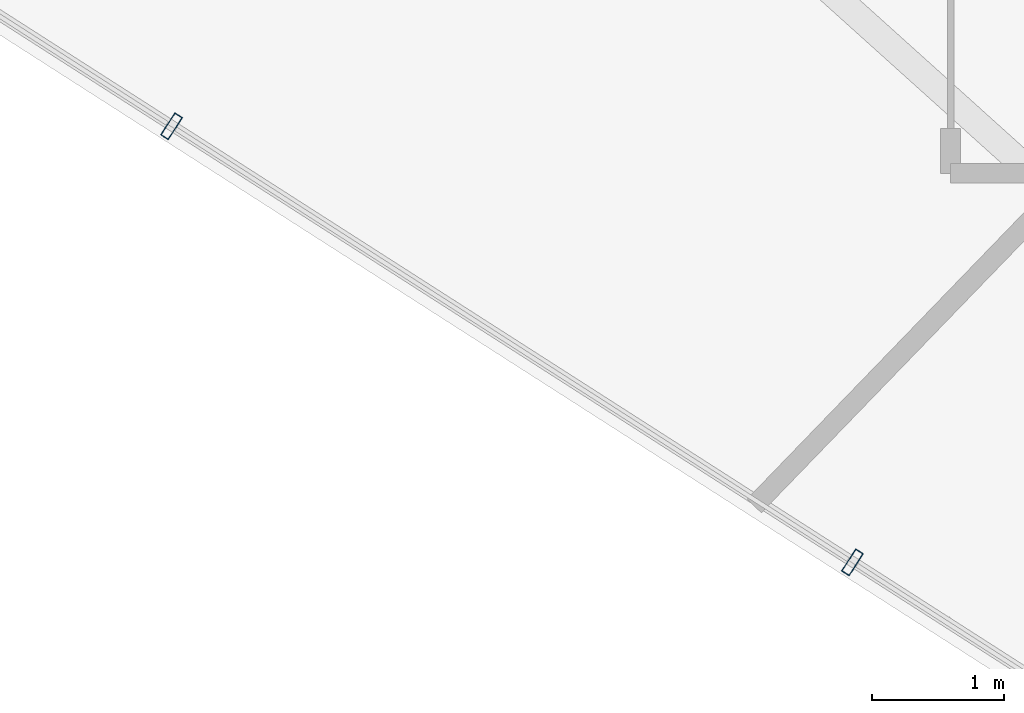
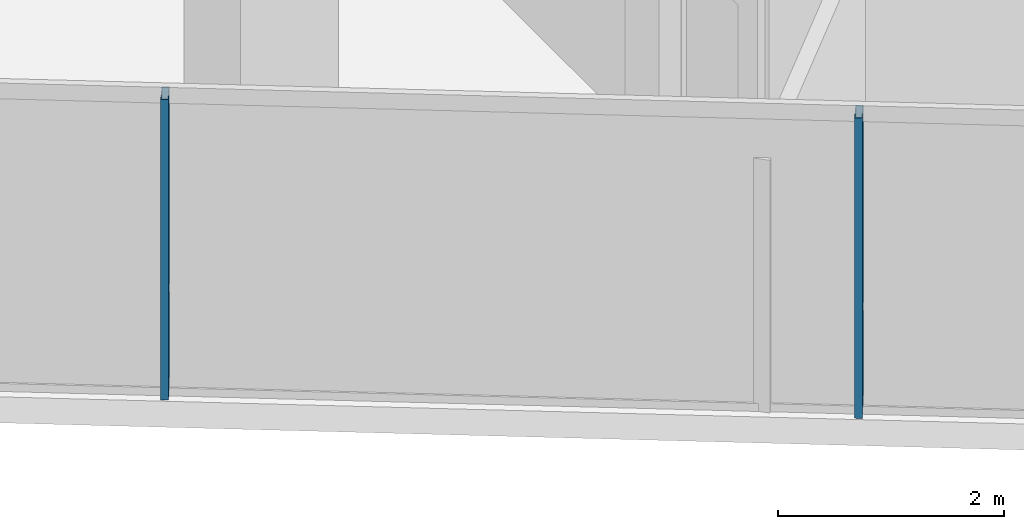
# One storey, part 2 of 20: 2 members, 1 element without a shape of its own.
"""IFC4 building model written with IfcOpenShell, lengths in metres."""

import ifcopenshell
import ifcopenshell.guid

model = None  # the IFC model being written
_history = None  # IfcOwnerHistory: only IFC2X3 demands one
_inside = {}  # id of a spatial element -> (the spatial element, [elements in it])
_under = {}  # id of a project, library or spatial element -> (it, [spatial elements below it])
_declared = {}  # id of a project -> (the project, [libraries it declares])
_typed = {}  # id of a type object -> (the type object, [elements of that type])
_made_of = {}  # id of a material, layer set ... -> (it, [elements and type objects made of it])


def new_model(schema):
    """Start an empty IFC model of exactly this schema.

    Asked for "IFC4X3", IfcOpenShell would pick the latest addendum, in which some entities
    have other attributes; the version numbers below select the first issue.
    IFC2X3 requires an IfcOwnerHistory on every rooted entity: one is made here for all.
    """
    global model, _history
    if schema == "IFC4X3":
        model = ifcopenshell.file(schema_version=(4, 3, 0, 0))
    else:
        model = ifcopenshell.file(schema=schema)
    _inside.clear()
    _under.clear()
    _declared.clear()
    _typed.clear()
    _made_of.clear()
    _history = None
    if model.schema == "IFC2X3":
        org = make("IfcOrganization", Name="unknown")
        user = make(
            "IfcPersonAndOrganization",
            ThePerson=make("IfcPerson", FamilyName="unknown"),
            TheOrganization=org,
        )
        app = make(
            "IfcApplication",
            ApplicationDeveloper=org,
            Version="unknown",
            ApplicationFullName="unknown",
            ApplicationIdentifier="unknown",
        )
        _history = make(
            "IfcOwnerHistory",
            OwningUser=user,
            OwningApplication=app,
            ChangeAction="ADDED",
            CreationDate=0,
        )
    return model


def make(cls, **values):
    """One entity of the class cls with the attributes given. An attribute that is None is left unset."""
    return model.create_entity(
        cls, **{name: value for name, value in values.items() if value is not None}
    )


def rooted(cls, **values):
    """An entity with a GlobalId (a new one), such as an element, a storey or a relation."""
    return make(cls, GlobalId=ifcopenshell.guid.new(), OwnerHistory=_history, **values)


def si_unit(unit_type, name, prefix=None):
    """IfcSIUnit, for example si_unit("LENGTHUNIT", "METRE", prefix="MILLI")."""
    return make("IfcSIUnit", UnitType=unit_type, Prefix=prefix, Name=name)


def assignment(units):
    """IfcUnitAssignment: the units of a project."""
    return None if units is None else make("IfcUnitAssignment", Units=units)


def point(xyz):
    """IfcCartesianPoint."""
    return None if xyz is None else make("IfcCartesianPoint", Coordinates=xyz)


def direction(xyz):
    """IfcDirection."""
    return None if xyz is None else make("IfcDirection", DirectionRatios=xyz)


def frame(location, z_axis=None, x_axis=None):
    """IfcAxis2Placement3D, a coordinate frame: its origin and axes. An axis left out is left unset."""
    return make(
        "IfcAxis2Placement3D",
        Location=point(location),
        Axis=direction(z_axis),
        RefDirection=direction(x_axis),
    )


def frame_2d(location, x_axis=None):
    """IfcAxis2Placement2D, a coordinate frame in the plane: its origin and x axis."""
    return make(
        "IfcAxis2Placement2D", Location=point(location), RefDirection=direction(x_axis)
    )


def origin():
    """The frame at (0, 0, 0) with its axes left unset."""
    return frame((0.0, 0.0, 0.0))


def origin_2d():
    """The frame at (0, 0) in the plane with its x axis left unset."""
    return frame_2d((0.0, 0.0))


def place(relative_to, where):
    """IfcLocalPlacement: puts the frame where relative to a parent placement (None: the world)."""
    return make(
        "IfcLocalPlacement", PlacementRelTo=relative_to, RelativePlacement=where
    )


def context(
    kind, dimensions, precision=None, world=None, true_north=None, identifier=None
):
    """IfcGeometricRepresentationContext, for example the 3D "Model" context."""
    return make(
        "IfcGeometricRepresentationContext",
        ContextIdentifier=identifier,
        ContextType=kind,
        CoordinateSpaceDimension=dimensions,
        Precision=precision,
        WorldCoordinateSystem=world,
        TrueNorth=true_north,
    )


def subcontext(parent, identifier, kind, view, scale=None):
    """IfcGeometricRepresentationSubContext, for example "Body" below "Model"."""
    return make(
        "IfcGeometricRepresentationSubContext",
        ContextIdentifier=identifier,
        ContextType=kind,
        ParentContext=parent,
        TargetScale=scale,
        TargetView=view,
    )


def project(units=None, contexts=None):
    """IfcProject with its units and contexts."""
    return rooted(
        "IfcProject",
        Name="project",
        RepresentationContexts=contexts,
        UnitsInContext=assignment(units),
    )


def spatial(cls, under=None, at=None, **own):
    """A site, building, storey or space (cls), placed at a placement, below another one or the project."""
    s = rooted(cls, ObjectPlacement=at, **own)
    if under is not None:
        _under.setdefault(under.id(), (under, []))[1].append(s)
    return s


def profile(cls, at=None, kind="AREA", **sizes):
    """A parametric profile (cls). Its sizes go by their IFC names, for example OverallWidth=200.0."""
    return make(cls, ProfileType=kind, Position=at, **sizes)


def hollow_rectangle(**sizes):
    """IfcRectangleHollowProfileDef."""
    return profile("IfcRectangleHollowProfileDef", **sizes)


def extrude(swept, where, along, depth):
    """IfcExtrudedAreaSolid: the profile swept, set in the frame where, extruded along a direction by depth."""
    return make(
        "IfcExtrudedAreaSolid",
        SweptArea=swept,
        Position=where,
        ExtrudedDirection=direction(along),
        Depth=depth,
    )


def shape(context_of_items, identifier, shape_type, items):
    """IfcShapeRepresentation: the items that make up one representation, for example the "Body"."""
    return make(
        "IfcShapeRepresentation",
        ContextOfItems=context_of_items,
        RepresentationIdentifier=identifier,
        RepresentationType=shape_type,
        Items=items,
    )


def material(Name=None, Category=None):
    """IfcMaterial."""
    return make("IfcMaterial", Name=Name, Category=Category)


def layer(
    of_material, thickness, ventilated=None, Name=None, Category=None, Priority=None
):
    """IfcMaterialLayer: one layer of a wall or slab, of a material (None: an air gap)."""
    return make(
        "IfcMaterialLayer",
        Material=of_material,
        LayerThickness=thickness,
        IsVentilated=ventilated,
        Name=Name,
        Category=Category,
        Priority=Priority,
    )


def layer_set(layers, Name=None):
    """IfcMaterialLayerSet."""
    return make("IfcMaterialLayerSet", MaterialLayers=layers, LayerSetName=Name)


def material_profile(
    of_material, cross_section, Name=None, Category=None, Priority=None
):
    """IfcMaterialProfile: a cross section and its material."""
    return make(
        "IfcMaterialProfile",
        Name=Name,
        Material=of_material,
        Profile=cross_section,
        Priority=Priority,
        Category=Category,
    )


def profile_set(profiles, Name=None, composite=None):
    """IfcMaterialProfileSet."""
    return make(
        "IfcMaterialProfileSet",
        Name=Name,
        MaterialProfiles=profiles,
        CompositeProfile=composite,
    )


def made_of(thing, what):
    """Note that an element or type object is made of a material, layer set ...; save() writes the relation."""
    if what is not None:
        _made_of.setdefault(what.id(), (what, []))[1].append(thing)
    return thing


def type_object(cls, material=None, **own):
    """A type object (cls), such as IfcWallType, which elements share."""
    return made_of(rooted(cls, **own), material)


def element(
    cls,
    number,
    at=None,
    inside=None,
    cuts=None,
    type_object=None,
    material=None,
    context=None,
    identifier="Body",
    shape_type=None,
    held_by="IfcProductDefinitionShape",
    body=None,
    shapes=None,
    **own,
):
    """One element of the class cls, such as IfcWall. Its Tag is "e" and its number.

    at: its placement. inside: the storey or other place that contains it. cuts: it is an
    opening in that element (IfcRelVoidsElement). A single representation is given by context,
    identifier, shape_type and body (its items); several are given by shapes. held_by: the class
    of the entity that holds the representations. save() writes the other relations.
    """
    e = rooted(cls, Tag="e%d" % number, ObjectPlacement=at, **own)
    if body is not None:
        shapes = [shape(context, identifier, shape_type, body)]
    if shapes is not None:
        e.Representation = make(held_by, Representations=shapes)
    if inside is not None:
        _inside.setdefault(inside.id(), (inside, []))[1].append(e)
    if cuts is not None:
        rooted(
            "IfcRelVoidsElement", RelatingBuildingElement=cuts, RelatedOpeningElement=e
        )
    if type_object is not None:
        _typed.setdefault(type_object.id(), (type_object, []))[1].append(e)
    return made_of(e, material)


def aggregate(whole, parts):
    """IfcRelAggregates: a whole, such as a stair, and the parts it consists of."""
    return rooted("IfcRelAggregates", RelatingObject=whole, RelatedObjects=parts)


def save(model, path):
    """Write the relations noted so far, then the file.

    IfcRelAggregates (storeys below a building ...), IfcRelContainedInSpatialStructure (elements
    in a storey), IfcRelDefinesByType, IfcRelAssociatesMaterial and IfcRelDeclares: one each for
    every whole, place, type object, material and project.
    """
    for whole, parts in _under.values():
        aggregate(whole, parts)
    for where, things in _inside.values():
        rooted(
            "IfcRelContainedInSpatialStructure",
            RelatedElements=things,
            RelatingStructure=where,
        )
    for kind, things in _typed.values():
        rooted("IfcRelDefinesByType", RelatedObjects=things, RelatingType=kind)
    for what, things in _made_of.values():
        rooted("IfcRelAssociatesMaterial", RelatedObjects=things, RelatingMaterial=what)
    for by, libraries in _declared.values():
        rooted("IfcRelDeclares", RelatingContext=by, RelatedDefinitions=libraries)
    model.write(path)


model = new_model("IFC4")

# Units and contexts
model_context = context("Model", 3, precision=1e-05, world=origin(), true_north=direction((0.0, 1.0)))
body_context = subcontext(model_context, "Body", "Model", "MODEL_VIEW")
ifc_project = project(units=[si_unit("LENGTHUNIT", "METRE"), si_unit("AREAUNIT", "SQUARE_METRE"), si_unit("VOLUMEUNIT", "CUBIC_METRE"), si_unit("PLANEANGLEUNIT", "RADIAN"), si_unit("MASSUNIT", "GRAM", prefix="KILO")], contexts=[model_context])

# Site, building, storey
site_placement = place(None, origin())
site = spatial("IfcSite", under=ifc_project, at=site_placement, CompositionType="ELEMENT")
building_placement = place(site_placement, origin())
building = spatial("IfcBuilding", under=site, at=building_placement, Name="Qarnah Convention Tower", CompositionType="ELEMENT")
storey_placement = place(building_placement, frame((0.0, 0.0, 168.89990234375)))
storey = spatial("IfcBuildingStorey", under=building, at=storey_placement, Name="L45", CompositionType="ELEMENT", Elevation=168.89990234375)

# Curtain wall, members
ifc_material_1 = material(Name="Tempered Low-E dark glass", Category="glass")
ifc_layer = layer(ifc_material_1, 0.172119140625)
ifc_layer_set = layer_set([ifc_layer], Name="Tempered Low-E dark glass")
curtain_wall_type = type_object("IfcCurtainWallType", Name="CWS-03", PredefinedType="NOTDEFINED", material=ifc_layer_set)
curtain_wall_placement = place(storey_placement, origin())
curtain_wall = element("IfcCurtainWall", 1, at=curtain_wall_placement, inside=storey, type_object=curtain_wall_type, Name="L45 unitised curtain wall CW-L45-F1", PredefinedType="NOTDEFINED")
ifc_material_2 = material(Name="Black anodised aluminium", Category="aluminium")
ifc_material_profile = material_profile(ifc_material_2, hollow_rectangle(XDim=0.070068359375, YDim=0.199951171875, WallThickness=0.0048828125, at=origin_2d()), Name="MUL-70X200")
ifc_profile_set = profile_set([ifc_material_profile], Name="Black anodised aluminium")
member_type = type_object("IfcMemberType", Name="MUL-T3", PredefinedType="MULLION", material=ifc_profile_set)
member_1_placement = place(storey_placement, frame((26.05517578125, 13.99755859375, 0.0), z_axis=(0.0, 0.0, 1.0), x_axis=(-0.84208072788, 0.539351506657, 0.0)))
member_1 = element("IfcMember", 2, at=member_1_placement, type_object=member_type, Name="CW-L45-F1 mullion 4", PredefinedType="MULLION", context=body_context, shape_type="SweptSolid", body=[
    extrude(hollow_rectangle(XDim=0.070068359375, YDim=0.199951171875, WallThickness=0.0048828125, at=origin_2d()), origin(), (0.0, 0.0, 1.0), 3.239990234375),
])
member_2_placement = place(storey_placement, frame((20.888671875, 17.306884765625, 0.0), z_axis=(0.0, 0.0, 1.0), x_axis=(-0.84208072788, 0.539351506657, 0.0)))
member_2 = element("IfcMember", 3, at=member_2_placement, type_object=member_type, Name="CW-L45-F1 mullion 5", PredefinedType="MULLION", context=body_context, shape_type="SweptSolid", body=[
    extrude(hollow_rectangle(XDim=0.070068359375, YDim=0.199951171875, WallThickness=0.0048828125, at=origin_2d()), origin(), (0.0, 0.0, 1.0), 3.239990234375),
])
aggregate(curtain_wall, [member_1, member_2])

save(model, "model.ifc")
